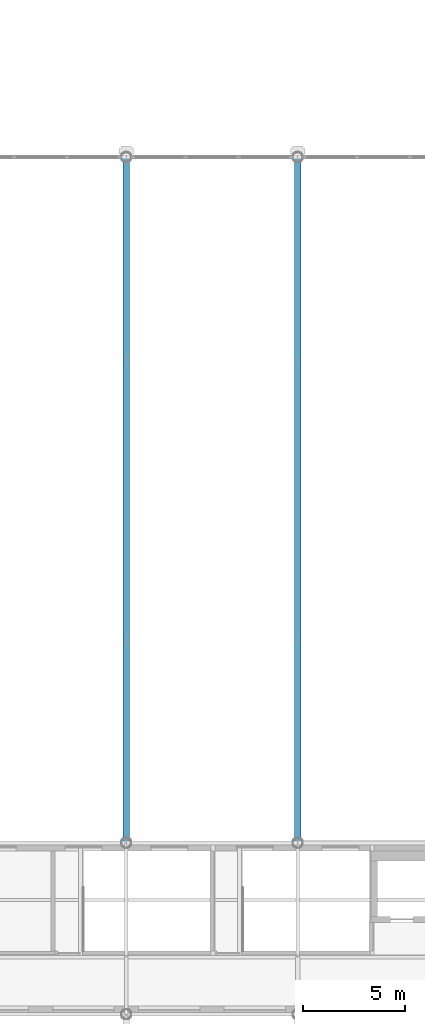
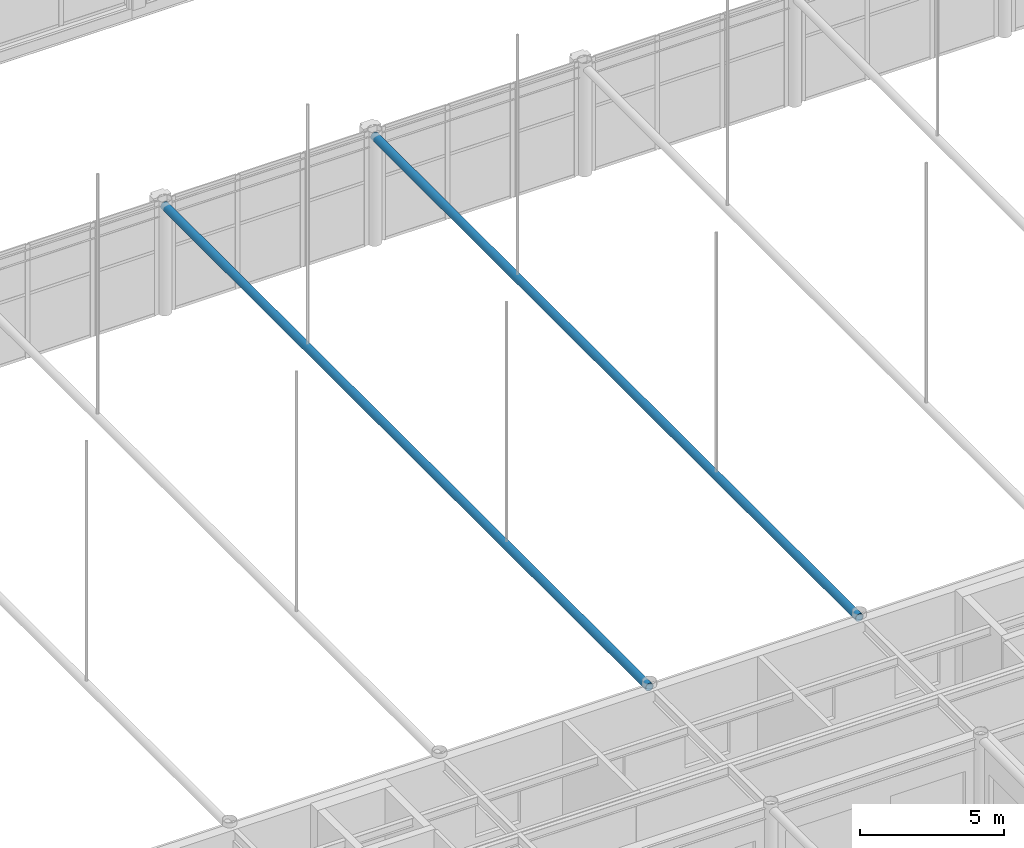
# One storey, part 79 of 167: 2 beams.
"""IFC4 building model written with IfcOpenShell, lengths in metres."""

import ifcopenshell
import ifcopenshell.guid

model = None  # the IFC model being written
_history = None  # IfcOwnerHistory: only IFC2X3 demands one
_inside = {}  # id of a spatial element -> (the spatial element, [elements in it])
_under = {}  # id of a project, library or spatial element -> (it, [spatial elements below it])
_declared = {}  # id of a project -> (the project, [libraries it declares])
_typed = {}  # id of a type object -> (the type object, [elements of that type])
_made_of = {}  # id of a material, layer set ... -> (it, [elements and type objects made of it])


def new_model(schema):
    """Start an empty IFC model of exactly this schema.

    Asked for "IFC4X3", IfcOpenShell would pick the latest addendum, in which some entities
    have other attributes; the version numbers below select the first issue.
    IFC2X3 requires an IfcOwnerHistory on every rooted entity: one is made here for all.
    """
    global model, _history
    if schema == "IFC4X3":
        model = ifcopenshell.file(schema_version=(4, 3, 0, 0))
    else:
        model = ifcopenshell.file(schema=schema)
    _inside.clear()
    _under.clear()
    _declared.clear()
    _typed.clear()
    _made_of.clear()
    _history = None
    if model.schema == "IFC2X3":
        org = make("IfcOrganization", Name="unknown")
        user = make(
            "IfcPersonAndOrganization",
            ThePerson=make("IfcPerson", FamilyName="unknown"),
            TheOrganization=org,
        )
        app = make(
            "IfcApplication",
            ApplicationDeveloper=org,
            Version="unknown",
            ApplicationFullName="unknown",
            ApplicationIdentifier="unknown",
        )
        _history = make(
            "IfcOwnerHistory",
            OwningUser=user,
            OwningApplication=app,
            ChangeAction="ADDED",
            CreationDate=0,
        )
    return model


def make(cls, **values):
    """One entity of the class cls with the attributes given. An attribute that is None is left unset."""
    return model.create_entity(
        cls, **{name: value for name, value in values.items() if value is not None}
    )


def rooted(cls, **values):
    """An entity with a GlobalId (a new one), such as an element, a storey or a relation."""
    return make(cls, GlobalId=ifcopenshell.guid.new(), OwnerHistory=_history, **values)


def si_unit(unit_type, name, prefix=None):
    """IfcSIUnit, for example si_unit("LENGTHUNIT", "METRE", prefix="MILLI")."""
    return make("IfcSIUnit", UnitType=unit_type, Prefix=prefix, Name=name)


def assignment(units):
    """IfcUnitAssignment: the units of a project."""
    return None if units is None else make("IfcUnitAssignment", Units=units)


def point(xyz):
    """IfcCartesianPoint."""
    return None if xyz is None else make("IfcCartesianPoint", Coordinates=xyz)


def direction(xyz):
    """IfcDirection."""
    return None if xyz is None else make("IfcDirection", DirectionRatios=xyz)


def frame(location, z_axis=None, x_axis=None):
    """IfcAxis2Placement3D, a coordinate frame: its origin and axes. An axis left out is left unset."""
    return make(
        "IfcAxis2Placement3D",
        Location=point(location),
        Axis=direction(z_axis),
        RefDirection=direction(x_axis),
    )


def frame_2d(location, x_axis=None):
    """IfcAxis2Placement2D, a coordinate frame in the plane: its origin and x axis."""
    return make(
        "IfcAxis2Placement2D", Location=point(location), RefDirection=direction(x_axis)
    )


def origin():
    """The frame at (0, 0, 0) with its axes left unset."""
    return frame((0.0, 0.0, 0.0))


def origin_2d():
    """The frame at (0, 0) in the plane with its x axis left unset."""
    return frame_2d((0.0, 0.0))


def place(relative_to, where):
    """IfcLocalPlacement: puts the frame where relative to a parent placement (None: the world)."""
    return make(
        "IfcLocalPlacement", PlacementRelTo=relative_to, RelativePlacement=where
    )


def context(
    kind, dimensions, precision=None, world=None, true_north=None, identifier=None
):
    """IfcGeometricRepresentationContext, for example the 3D "Model" context."""
    return make(
        "IfcGeometricRepresentationContext",
        ContextIdentifier=identifier,
        ContextType=kind,
        CoordinateSpaceDimension=dimensions,
        Precision=precision,
        WorldCoordinateSystem=world,
        TrueNorth=true_north,
    )


def subcontext(parent, identifier, kind, view, scale=None):
    """IfcGeometricRepresentationSubContext, for example "Body" below "Model"."""
    return make(
        "IfcGeometricRepresentationSubContext",
        ContextIdentifier=identifier,
        ContextType=kind,
        ParentContext=parent,
        TargetScale=scale,
        TargetView=view,
    )


def project(units=None, contexts=None):
    """IfcProject with its units and contexts."""
    return rooted(
        "IfcProject",
        Name="project",
        RepresentationContexts=contexts,
        UnitsInContext=assignment(units),
    )


def spatial(cls, under=None, at=None, **own):
    """A site, building, storey or space (cls), placed at a placement, below another one or the project."""
    s = rooted(cls, ObjectPlacement=at, **own)
    if under is not None:
        _under.setdefault(under.id(), (under, []))[1].append(s)
    return s


def profile(cls, at=None, kind="AREA", **sizes):
    """A parametric profile (cls). Its sizes go by their IFC names, for example OverallWidth=200.0."""
    return make(cls, ProfileType=kind, Position=at, **sizes)


def hollow_circle(**sizes):
    """IfcCircleHollowProfileDef."""
    return profile("IfcCircleHollowProfileDef", **sizes)


def extrude(swept, where, along, depth):
    """IfcExtrudedAreaSolid: the profile swept, set in the frame where, extruded along a direction by depth."""
    return make(
        "IfcExtrudedAreaSolid",
        SweptArea=swept,
        Position=where,
        ExtrudedDirection=direction(along),
        Depth=depth,
    )


def shape(context_of_items, identifier, shape_type, items):
    """IfcShapeRepresentation: the items that make up one representation, for example the "Body"."""
    return make(
        "IfcShapeRepresentation",
        ContextOfItems=context_of_items,
        RepresentationIdentifier=identifier,
        RepresentationType=shape_type,
        Items=items,
    )


def material(Name=None, Category=None):
    """IfcMaterial."""
    return make("IfcMaterial", Name=Name, Category=Category)


def material_profile(
    of_material, cross_section, Name=None, Category=None, Priority=None
):
    """IfcMaterialProfile: a cross section and its material."""
    return make(
        "IfcMaterialProfile",
        Name=Name,
        Material=of_material,
        Profile=cross_section,
        Priority=Priority,
        Category=Category,
    )


def profile_set(profiles, Name=None, composite=None):
    """IfcMaterialProfileSet."""
    return make(
        "IfcMaterialProfileSet",
        Name=Name,
        MaterialProfiles=profiles,
        CompositeProfile=composite,
    )


def made_of(thing, what):
    """Note that an element or type object is made of a material, layer set ...; save() writes the relation."""
    if what is not None:
        _made_of.setdefault(what.id(), (what, []))[1].append(thing)
    return thing


def type_object(cls, material=None, **own):
    """A type object (cls), such as IfcWallType, which elements share."""
    return made_of(rooted(cls, **own), material)


def element(
    cls,
    number,
    at=None,
    inside=None,
    cuts=None,
    type_object=None,
    material=None,
    context=None,
    identifier="Body",
    shape_type=None,
    held_by="IfcProductDefinitionShape",
    body=None,
    shapes=None,
    **own,
):
    """One element of the class cls, such as IfcWall. Its Tag is "e" and its number.

    at: its placement. inside: the storey or other place that contains it. cuts: it is an
    opening in that element (IfcRelVoidsElement). A single representation is given by context,
    identifier, shape_type and body (its items); several are given by shapes. held_by: the class
    of the entity that holds the representations. save() writes the other relations.
    """
    e = rooted(cls, Tag="e%d" % number, ObjectPlacement=at, **own)
    if body is not None:
        shapes = [shape(context, identifier, shape_type, body)]
    if shapes is not None:
        e.Representation = make(held_by, Representations=shapes)
    if inside is not None:
        _inside.setdefault(inside.id(), (inside, []))[1].append(e)
    if cuts is not None:
        rooted(
            "IfcRelVoidsElement", RelatingBuildingElement=cuts, RelatedOpeningElement=e
        )
    if type_object is not None:
        _typed.setdefault(type_object.id(), (type_object, []))[1].append(e)
    return made_of(e, material)


def aggregate(whole, parts):
    """IfcRelAggregates: a whole, such as a stair, and the parts it consists of."""
    return rooted("IfcRelAggregates", RelatingObject=whole, RelatedObjects=parts)


def save(model, path):
    """Write the relations noted so far, then the file.

    IfcRelAggregates (storeys below a building ...), IfcRelContainedInSpatialStructure (elements
    in a storey), IfcRelDefinesByType, IfcRelAssociatesMaterial and IfcRelDeclares: one each for
    every whole, place, type object, material and project.
    """
    for whole, parts in _under.values():
        aggregate(whole, parts)
    for where, things in _inside.values():
        rooted(
            "IfcRelContainedInSpatialStructure",
            RelatedElements=things,
            RelatingStructure=where,
        )
    for kind, things in _typed.values():
        rooted("IfcRelDefinesByType", RelatedObjects=things, RelatingType=kind)
    for what, things in _made_of.values():
        rooted("IfcRelAssociatesMaterial", RelatedObjects=things, RelatingMaterial=what)
    for by, libraries in _declared.values():
        rooted("IfcRelDeclares", RelatingContext=by, RelatedDefinitions=libraries)
    model.write(path)


model = new_model("IFC4")

# Units and contexts
model_context = context("Model", 3, precision=1e-05, world=origin(), true_north=direction((0.0, 1.0)))
body_context = subcontext(model_context, "Body", "Model", "MODEL_VIEW")
ifc_project = project(units=[si_unit("LENGTHUNIT", "METRE"), si_unit("AREAUNIT", "SQUARE_METRE"), si_unit("VOLUMEUNIT", "CUBIC_METRE"), si_unit("PLANEANGLEUNIT", "RADIAN"), si_unit("MASSUNIT", "GRAM", prefix="KILO")], contexts=[model_context])

# Site, building, storey
site_placement = place(None, origin())
site = spatial("IfcSite", under=ifc_project, at=site_placement, CompositionType="ELEMENT")
building_placement = place(site_placement, origin())
building = spatial("IfcBuilding", under=site, at=building_placement, Name="Catenary Quay Ferry Terminal", CompositionType="ELEMENT")
storey_placement = place(building_placement, frame((0.0, 0.0, 6.0)))
storey = spatial("IfcBuildingStorey", under=building, at=storey_placement, Name="L01", CompositionType="ELEMENT", Elevation=6.0)

# Beams
ifc_material = material(Name="Steel S355", Category="steel")
ifc_material_profile = material_profile(ifc_material, hollow_circle(Radius=0.161865234375, WallThickness=0.01611328125, at=origin_2d()), Name="CHS 323.9x16")
ifc_profile_set = profile_set([ifc_material_profile], Name="Steel S355")
beam_type = type_object("IfcBeamType", Name="TB3 CHS 323.9x16", PredefinedType="BEAM", material=ifc_profile_set)
for number, where, z_axis, x_axis, name in (
    (1, (50.39990234375, 109.199951171875, 4.5), (0.0, 1.0, 0.0), (-1.0, 0.0, 0.0), "Vault tie beam VD-04"),
    (2, (58.800048828125, 109.199951171875, 4.5), (0.0, 1.0, 0.0), (-1.0, 0.0, 0.0), "Vault tie beam VD-05"),
):
    element("IfcBeam", number, at=place(storey_placement, frame(where, z_axis=z_axis, x_axis=x_axis)), inside=storey, type_object=beam_type, Name=name, PredefinedType="BEAM", context=body_context, shape_type="SweptSolid", body=[
        extrude(hollow_circle(Radius=0.161865234375, WallThickness=0.01611328125, at=origin_2d()), origin(), (0.0, 0.0, 1.0), 33.60009765625),
    ])

save(model, "model.ifc")
